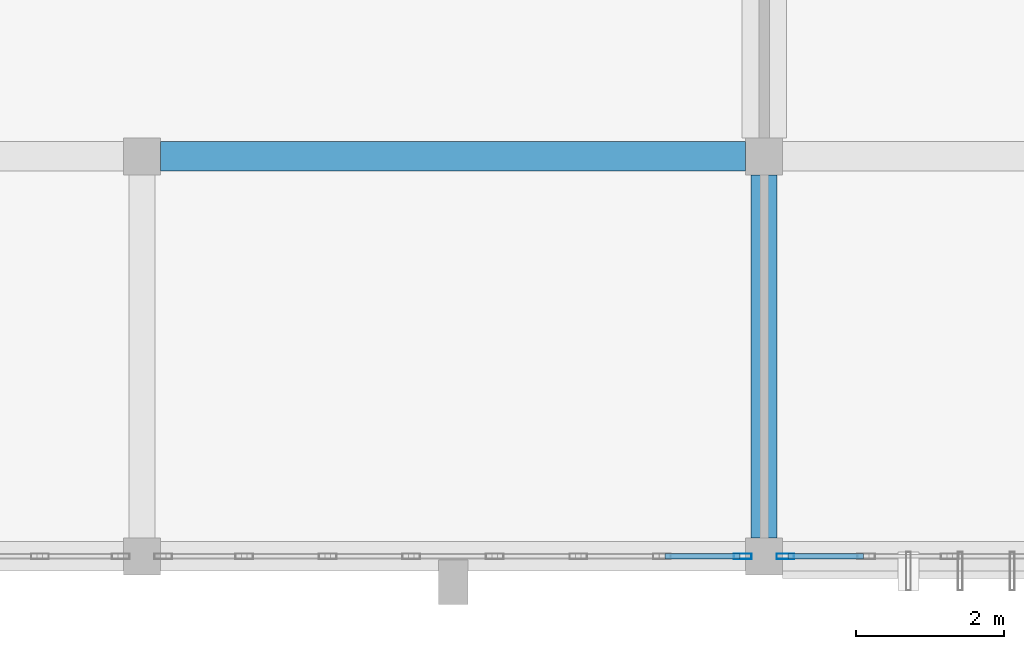
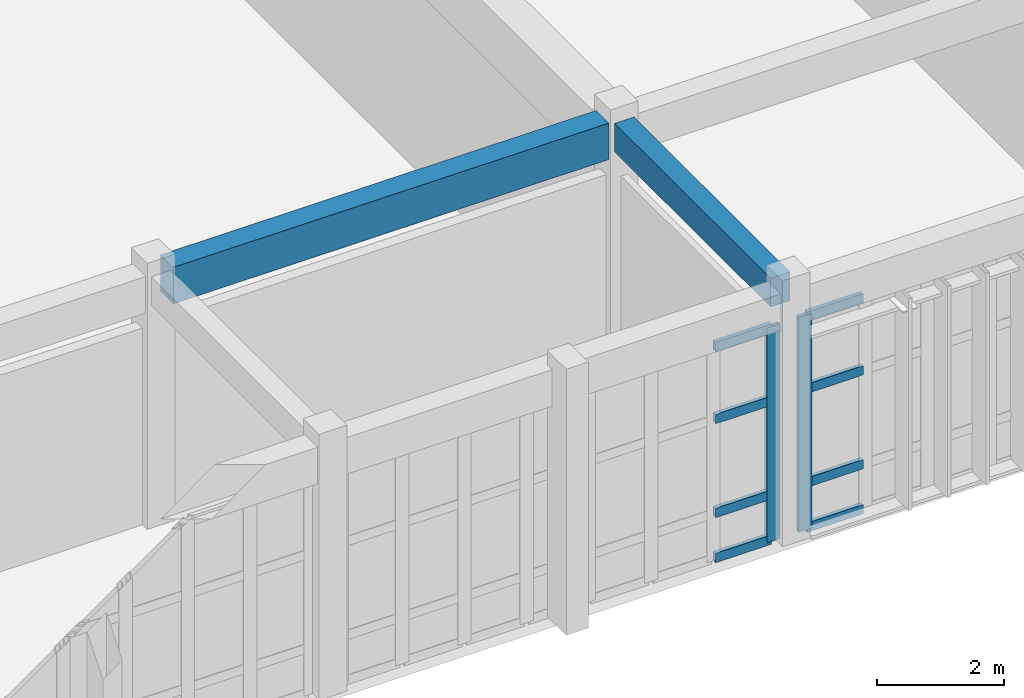
# One storey, part 44 of 93: 10 members, 2 beams, 2 elements without a shape of their own.
"""IFC4 building model written with IfcOpenShell, lengths in metres."""

from ifc_helpers import new_model, si_unit, direction, frame, origin, origin_2d, place, context, subcontext, project, spatial, rectangle, hollow_rectangle, extrude, material, layer, layer_set, material_profile, profile_set, type_object, element, aggregate, save


model = new_model("IFC4")

# Units and contexts
model_context = context("Model", 3, precision=1e-05, world=origin(), true_north=direction((0.0, 1.0)))
body_context = subcontext(model_context, "Body", "Model", "MODEL_VIEW")
ifc_project = project(units=[si_unit("LENGTHUNIT", "METRE"), si_unit("AREAUNIT", "SQUARE_METRE"), si_unit("VOLUMEUNIT", "CUBIC_METRE"), si_unit("PLANEANGLEUNIT", "RADIAN"), si_unit("MASSUNIT", "GRAM", prefix="KILO")], contexts=[model_context])

# Site, building, storey
site_placement = place(None, origin())
site = spatial("IfcSite", under=ifc_project, at=site_placement, CompositionType="ELEMENT")
building_placement = place(site_placement, origin())
building = spatial("IfcBuilding", under=site, at=building_placement, Name="Krzemoval Escarpment Law Courts", CompositionType="ELEMENT")
storey_placement = place(building_placement, frame((0.0, 0.0, 10.199951171875)))
storey = spatial("IfcBuildingStorey", under=building, at=storey_placement, Name="L02", CompositionType="ELEMENT", Elevation=10.199951171875)

# Beams
ifc_material_1 = material(Name="Concrete C40/50", Category="concrete")
ifc_material_profile_1 = material_profile(ifc_material_1, rectangle(XDim=0.35009765625, YDim=0.550048828125, at=origin_2d()), Name="RCB 350x550")
ifc_profile_set_1 = profile_set([ifc_material_profile_1], Name="Concrete C40/50")
beam_type_1 = type_object("IfcBeamType", Name="BM-RC-350x550", PredefinedType="BEAM", material=ifc_profile_set_1)
beam_1_placement = place(storey_placement, frame((142.800048828125, 0.25, 4.545166015625), z_axis=(0.0, 1.0, 0.0), x_axis=(-1.0, 0.0, 0.0)))
element("IfcBeam", 1, at=beam_1_placement, inside=storey, type_object=beam_type_1, Name="Beam FG-L02-1976", PredefinedType="BEAM", context=body_context, shape_type="SweptSolid", body=[
    extrude(rectangle(XDim=0.35009765625, YDim=0.550048828125, at=origin_2d()), origin(), (0.0, 0.0, 1.0), 4.89990234375),
])
ifc_material_2 = material(Name="Concrete C40/50", Category="concrete")
ifc_material_profile_2 = material_profile(ifc_material_2, rectangle(XDim=0.39990234375, YDim=0.699951171875, at=origin_2d()), Name="RCB 400x700")
ifc_profile_set_2 = profile_set([ifc_material_profile_2], Name="Concrete C40/50")
beam_type_2 = type_object("IfcBeamType", Name="BM-RC-400x700", PredefinedType="BEAM", material=ifc_profile_set_2)
beam_2_placement = place(storey_placement, frame((134.64990234375, 5.39990234375, 4.469970703125), z_axis=(1.0, 0.0, 0.0), x_axis=(0.0, 1.0, 0.0)))
element("IfcBeam", 2, at=beam_2_placement, inside=storey, type_object=beam_type_2, Name="Beam FG-L02-1736", PredefinedType="BEAM", context=body_context, shape_type="SweptSolid", body=[
    extrude(rectangle(XDim=0.39990234375, YDim=0.699951171875, at=origin_2d()), origin(), (0.0, 0.0, 1.0), 7.900146484375),
])

# Curtain wall, member
ifc_material_3 = material(Name="Aluminium 6063-T6", Category="aluminium")
ifc_layer = layer(ifc_material_3, 0.239990234375)
ifc_layer_set = layer_set([ifc_layer], Name="Aluminium 6063-T6")
curtain_wall_type = type_object("IfcCurtainWallType", Name="CW-LIBR-4800", PredefinedType="USERDEFINED", material=ifc_layer_set)
curtain_wall_1_placement = place(storey_placement, origin())
curtain_wall_1 = element("IfcCurtainWall", 3, at=curtain_wall_1_placement, inside=storey, type_object=curtain_wall_type, Name="Unitised Curtain Wall FCW-L02-081", ObjectType="UNITISED_CURTAIN_WALL", PredefinedType="USERDEFINED")
ifc_material_4 = material(Name="Aluminium 6063-T6", Category="aluminium")
ifc_material_profile_3 = material_profile(ifc_material_4, hollow_rectangle(XDim=0.074951171875, YDim=0.239990234375, WallThickness=0.0048828125, at=origin_2d()), Name="ALU M75x240")
ifc_profile_set_3 = profile_set([ifc_material_profile_3], Name="Aluminium 6063-T6")
member_type_1 = type_object("IfcMemberType", Name="CWM-75x240", PredefinedType="MULLION", material=ifc_profile_set_3)
member_1_placement = place(storey_placement, frame((143.08740234375, 0.0, 0.0), z_axis=(0.0, 0.0, 1.0), x_axis=(0.0, -1.0, 0.0)))
member_1 = element("IfcMember", 4, at=member_1_placement, type_object=member_type_1, Name="FCW-L02-081 mullion 8", PredefinedType="MULLION", context=body_context, shape_type="SweptSolid", body=[
    extrude(hollow_rectangle(XDim=0.074951171875, YDim=0.239990234375, WallThickness=0.0048828125, at=origin_2d()), origin(), (0.0, 0.0, 1.0), 4.1201171875),
])

curtain_wall_2_placement = place(storey_placement, origin())
curtain_wall_2 = element("IfcCurtainWall", 5, at=curtain_wall_2_placement, inside=storey, type_object=curtain_wall_type, Name="Unitised Curtain Wall FCW-L02-082", ObjectType="UNITISED_CURTAIN_WALL", PredefinedType="USERDEFINED")
member_2_placement = place(storey_placement, frame((142.512451171875, 0.0, 0.0), z_axis=(0.0, 0.0, 1.0), x_axis=(0.0, -1.0, 0.0)))
member_2 = element("IfcMember", 6, at=member_2_placement, type_object=member_type_1, Name="FCW-L02-082 mullion 1", PredefinedType="MULLION", context=body_context, shape_type="SweptSolid", body=[
    extrude(hollow_rectangle(XDim=0.074951171875, YDim=0.239990234375, WallThickness=0.0048828125, at=origin_2d()), origin(), (0.0, 0.0, 1.0), 4.1201171875),
])

# Member
ifc_material_5 = material(Name="Aluminium 6063-T6", Category="aluminium")
ifc_material_profile_4 = material_profile(ifc_material_5, hollow_rectangle(XDim=0.074951171875, YDim=0.179931640625, WallThickness=0.0048828125, at=origin_2d()), Name="ALU T75x180")
ifc_profile_set_4 = profile_set([ifc_material_profile_4], Name="Aluminium 6063-T6")
member_type_2 = type_object("IfcMemberType", Name="CWT-75x180", PredefinedType="USERDEFINED", material=ifc_profile_set_4)
member_3_placement = place(storey_placement, frame((144.14111328125, 0.0, 0.03759765625), z_axis=(-1.0, 0.0, 0.0), x_axis=(0.0, -1.0, 0.0)))
member_3 = element("IfcMember", 7, at=member_3_placement, type_object=member_type_2, Name="FCW-L02-081 transom 7.1", ObjectType="TRANSOM", PredefinedType="USERDEFINED", context=body_context, shape_type="SweptSolid", body=[
    extrude(hollow_rectangle(XDim=0.074951171875, YDim=0.179931640625, WallThickness=0.0048828125, at=origin_2d()), origin(), (0.0, 0.0, 1.0), 1.01611328125),
])

member_4_placement = place(storey_placement, frame((144.14111328125, 0.0, 0.900146484375), z_axis=(-1.0, 0.0, 0.0), x_axis=(0.0, -1.0, 0.0)))
member_4 = element("IfcMember", 8, at=member_4_placement, type_object=member_type_2, Name="FCW-L02-081 transom 7.2", ObjectType="TRANSOM", PredefinedType="USERDEFINED", context=body_context, shape_type="SweptSolid", body=[
    extrude(hollow_rectangle(XDim=0.074951171875, YDim=0.179931640625, WallThickness=0.0048828125, at=origin_2d()), origin(), (0.0, 0.0, 1.0), 1.01611328125),
])

member_5_placement = place(storey_placement, frame((144.14111328125, 0.0, 2.699951171875), z_axis=(-1.0, 0.0, 0.0), x_axis=(0.0, -1.0, 0.0)))
member_5 = element("IfcMember", 9, at=member_5_placement, type_object=member_type_2, Name="FCW-L02-081 transom 7.3", ObjectType="TRANSOM", PredefinedType="USERDEFINED", context=body_context, shape_type="SweptSolid", body=[
    extrude(hollow_rectangle(XDim=0.074951171875, YDim=0.179931640625, WallThickness=0.0048828125, at=origin_2d()), origin(), (0.0, 0.0, 1.0), 1.01611328125),
])

member_6_placement = place(storey_placement, frame((144.14111328125, 0.0, 4.08251953125), z_axis=(-1.0, 0.0, 0.0), x_axis=(0.0, -1.0, 0.0)))
member_6 = element("IfcMember", 10, at=member_6_placement, type_object=member_type_2, Name="FCW-L02-081 transom 7.4", ObjectType="TRANSOM", PredefinedType="USERDEFINED", context=body_context, shape_type="SweptSolid", body=[
    extrude(hollow_rectangle(XDim=0.074951171875, YDim=0.179931640625, WallThickness=0.0048828125, at=origin_2d()), origin(), (0.0, 0.0, 1.0), 1.01611328125),
])

aggregate(curtain_wall_1, [member_1, member_3, member_4, member_5, member_6])

member_7_placement = place(storey_placement, frame((142.47509765625, 0.0, 0.03759765625), z_axis=(-1.0, 0.0, 0.0), x_axis=(0.0, -1.0, 0.0)))
member_7 = element("IfcMember", 11, at=member_7_placement, type_object=member_type_2, Name="FCW-L02-082 transom 1.1", ObjectType="TRANSOM", PredefinedType="USERDEFINED", context=body_context, shape_type="SweptSolid", body=[
    extrude(hollow_rectangle(XDim=0.074951171875, YDim=0.179931640625, WallThickness=0.0048828125, at=origin_2d()), origin(), (0.0, 0.0, 1.0), 1.01611328125),
])

member_8_placement = place(storey_placement, frame((142.47509765625, 0.0, 0.900146484375), z_axis=(-1.0, 0.0, 0.0), x_axis=(0.0, -1.0, 0.0)))
member_8 = element("IfcMember", 12, at=member_8_placement, type_object=member_type_2, Name="FCW-L02-082 transom 1.2", ObjectType="TRANSOM", PredefinedType="USERDEFINED", context=body_context, shape_type="SweptSolid", body=[
    extrude(hollow_rectangle(XDim=0.074951171875, YDim=0.179931640625, WallThickness=0.0048828125, at=origin_2d()), origin(), (0.0, 0.0, 1.0), 1.01611328125),
])

member_9_placement = place(storey_placement, frame((142.47509765625, 0.0, 2.699951171875), z_axis=(-1.0, 0.0, 0.0), x_axis=(0.0, -1.0, 0.0)))
member_9 = element("IfcMember", 13, at=member_9_placement, type_object=member_type_2, Name="FCW-L02-082 transom 1.3", ObjectType="TRANSOM", PredefinedType="USERDEFINED", context=body_context, shape_type="SweptSolid", body=[
    extrude(hollow_rectangle(XDim=0.074951171875, YDim=0.179931640625, WallThickness=0.0048828125, at=origin_2d()), origin(), (0.0, 0.0, 1.0), 1.01611328125),
])

member_10_placement = place(storey_placement, frame((142.47509765625, 0.0, 4.08251953125), z_axis=(-1.0, 0.0, 0.0), x_axis=(0.0, -1.0, 0.0)))
member_10 = element("IfcMember", 14, at=member_10_placement, type_object=member_type_2, Name="FCW-L02-082 transom 1.4", ObjectType="TRANSOM", PredefinedType="USERDEFINED", context=body_context, shape_type="SweptSolid", body=[
    extrude(hollow_rectangle(XDim=0.074951171875, YDim=0.179931640625, WallThickness=0.0048828125, at=origin_2d()), origin(), (0.0, 0.0, 1.0), 1.01611328125),
])

aggregate(curtain_wall_2, [member_2, member_7, member_8, member_9, member_10])

save(model, "model.ifc")
